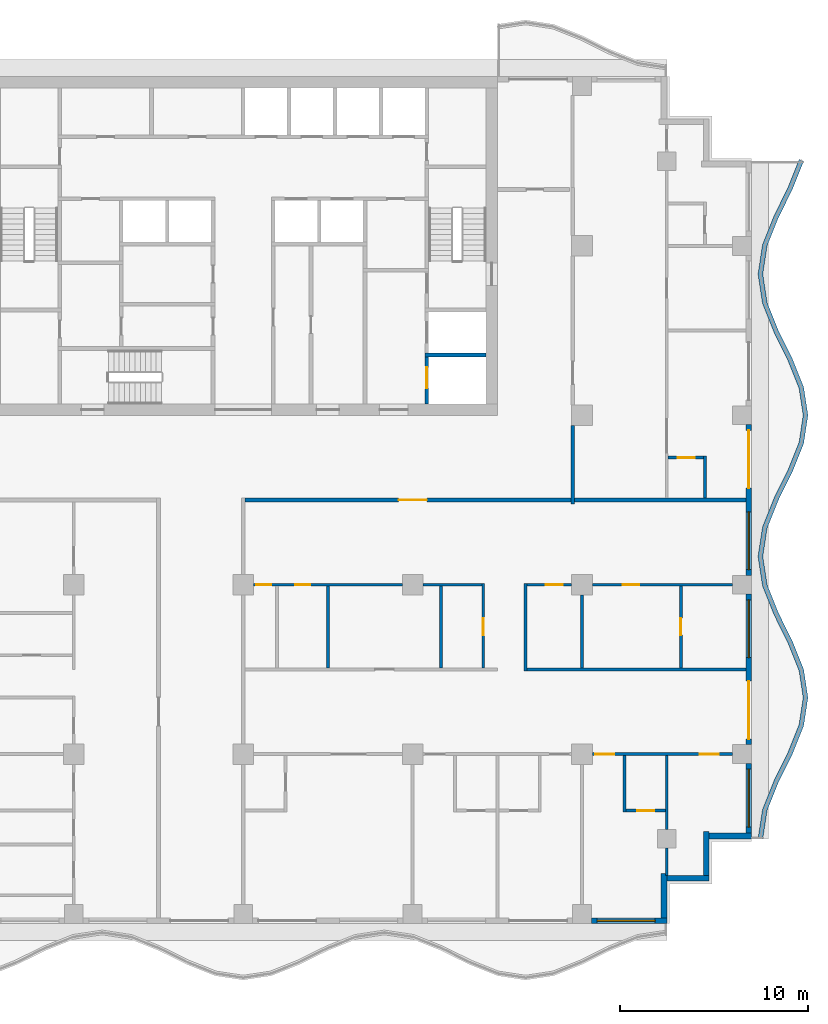
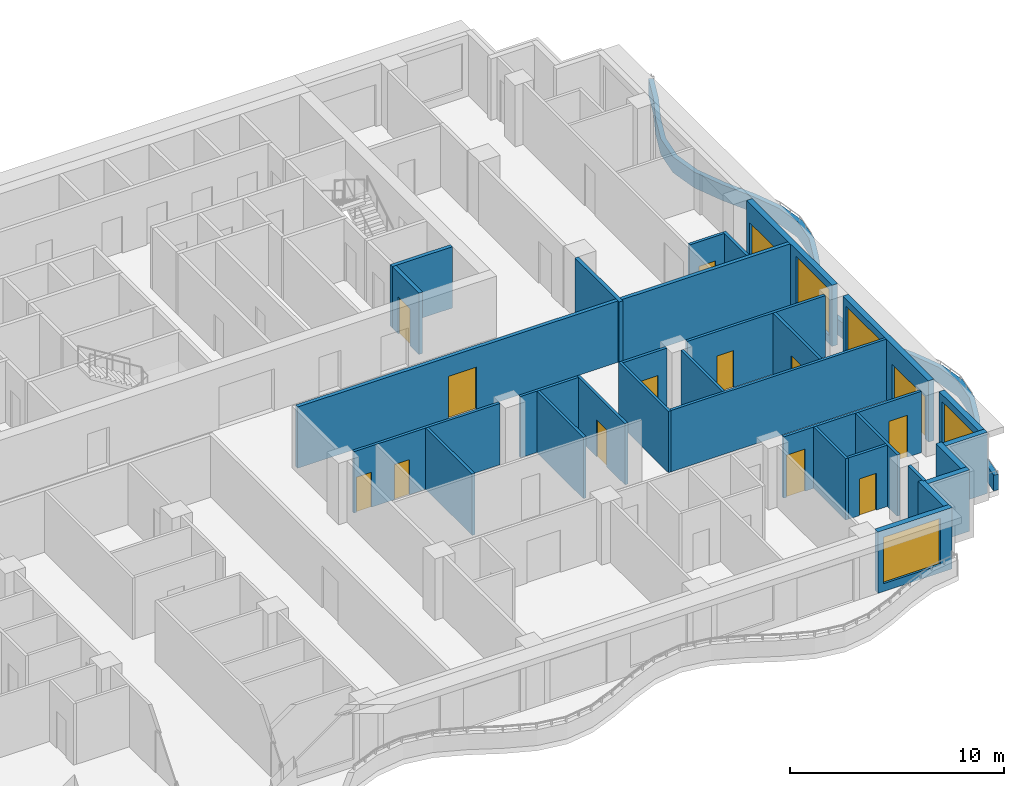
# One storey, part 4 of 12: 32 walls, 14 doors, 4 windows, 18 openings.
"""IFC4 building model written with IfcOpenShell, lengths in metres."""

import ifcopenshell
import ifcopenshell.guid

model = None  # the IFC model being written
_history = None  # IfcOwnerHistory: only IFC2X3 demands one
_inside = {}  # id of a spatial element -> (the spatial element, [elements in it])
_under = {}  # id of a project, library or spatial element -> (it, [spatial elements below it])
_declared = {}  # id of a project -> (the project, [libraries it declares])
_typed = {}  # id of a type object -> (the type object, [elements of that type])
_made_of = {}  # id of a material, layer set ... -> (it, [elements and type objects made of it])


def new_model(schema):
    """Start an empty IFC model of exactly this schema.

    Asked for "IFC4X3", IfcOpenShell would pick the latest addendum, in which some entities
    have other attributes; the version numbers below select the first issue.
    IFC2X3 requires an IfcOwnerHistory on every rooted entity: one is made here for all.
    """
    global model, _history
    if schema == "IFC4X3":
        model = ifcopenshell.file(schema_version=(4, 3, 0, 0))
    else:
        model = ifcopenshell.file(schema=schema)
    _inside.clear()
    _under.clear()
    _declared.clear()
    _typed.clear()
    _made_of.clear()
    _history = None
    if model.schema == "IFC2X3":
        org = make("IfcOrganization", Name="unknown")
        user = make(
            "IfcPersonAndOrganization",
            ThePerson=make("IfcPerson", FamilyName="unknown"),
            TheOrganization=org,
        )
        app = make(
            "IfcApplication",
            ApplicationDeveloper=org,
            Version="unknown",
            ApplicationFullName="unknown",
            ApplicationIdentifier="unknown",
        )
        _history = make(
            "IfcOwnerHistory",
            OwningUser=user,
            OwningApplication=app,
            ChangeAction="ADDED",
            CreationDate=0,
        )
    return model


def make(cls, **values):
    """One entity of the class cls with the attributes given. An attribute that is None is left unset."""
    return model.create_entity(
        cls, **{name: value for name, value in values.items() if value is not None}
    )


def rooted(cls, **values):
    """An entity with a GlobalId (a new one), such as an element, a storey or a relation."""
    return make(cls, GlobalId=ifcopenshell.guid.new(), OwnerHistory=_history, **values)


def si_unit(unit_type, name, prefix=None):
    """IfcSIUnit, for example si_unit("LENGTHUNIT", "METRE", prefix="MILLI")."""
    return make("IfcSIUnit", UnitType=unit_type, Prefix=prefix, Name=name)


def assignment(units):
    """IfcUnitAssignment: the units of a project."""
    return None if units is None else make("IfcUnitAssignment", Units=units)


def point(xyz):
    """IfcCartesianPoint."""
    return None if xyz is None else make("IfcCartesianPoint", Coordinates=xyz)


def direction(xyz):
    """IfcDirection."""
    return None if xyz is None else make("IfcDirection", DirectionRatios=xyz)


def frame(location, z_axis=None, x_axis=None):
    """IfcAxis2Placement3D, a coordinate frame: its origin and axes. An axis left out is left unset."""
    return make(
        "IfcAxis2Placement3D",
        Location=point(location),
        Axis=direction(z_axis),
        RefDirection=direction(x_axis),
    )


def frame_2d(location, x_axis=None):
    """IfcAxis2Placement2D, a coordinate frame in the plane: its origin and x axis."""
    return make(
        "IfcAxis2Placement2D", Location=point(location), RefDirection=direction(x_axis)
    )


def origin():
    """The frame at (0, 0, 0) with its axes left unset."""
    return frame((0.0, 0.0, 0.0))


def place(relative_to, where):
    """IfcLocalPlacement: puts the frame where relative to a parent placement (None: the world)."""
    return make(
        "IfcLocalPlacement", PlacementRelTo=relative_to, RelativePlacement=where
    )


def context(
    kind, dimensions, precision=None, world=None, true_north=None, identifier=None
):
    """IfcGeometricRepresentationContext, for example the 3D "Model" context."""
    return make(
        "IfcGeometricRepresentationContext",
        ContextIdentifier=identifier,
        ContextType=kind,
        CoordinateSpaceDimension=dimensions,
        Precision=precision,
        WorldCoordinateSystem=world,
        TrueNorth=true_north,
    )


def subcontext(parent, identifier, kind, view, scale=None):
    """IfcGeometricRepresentationSubContext, for example "Body" below "Model"."""
    return make(
        "IfcGeometricRepresentationSubContext",
        ContextIdentifier=identifier,
        ContextType=kind,
        ParentContext=parent,
        TargetScale=scale,
        TargetView=view,
    )


def project(units=None, contexts=None):
    """IfcProject with its units and contexts."""
    return rooted(
        "IfcProject",
        Name="project",
        RepresentationContexts=contexts,
        UnitsInContext=assignment(units),
    )


def spatial(cls, under=None, at=None, **own):
    """A site, building, storey or space (cls), placed at a placement, below another one or the project."""
    s = rooted(cls, ObjectPlacement=at, **own)
    if under is not None:
        _under.setdefault(under.id(), (under, []))[1].append(s)
    return s


def polyline(points):
    """IfcPolyline through the points."""
    return make("IfcPolyline", Points=[point(p) for p in points])


def profile(cls, at=None, kind="AREA", **sizes):
    """A parametric profile (cls). Its sizes go by their IFC names, for example OverallWidth=200.0."""
    return make(cls, ProfileType=kind, Position=at, **sizes)


def rectangle(**sizes):
    """IfcRectangleProfileDef."""
    return profile("IfcRectangleProfileDef", **sizes)


def outline(outer, holes=None, kind="AREA"):
    """IfcArbitraryClosedProfileDef: a profile drawn as a closed curve; with holes, ...WithVoids."""
    if holes is None:
        return make("IfcArbitraryClosedProfileDef", ProfileType=kind, OuterCurve=outer)
    return make(
        "IfcArbitraryProfileDefWithVoids",
        ProfileType=kind,
        OuterCurve=outer,
        InnerCurves=holes,
    )


def extrude(swept, where, along, depth):
    """IfcExtrudedAreaSolid: the profile swept, set in the frame where, extruded along a direction by depth."""
    return make(
        "IfcExtrudedAreaSolid",
        SweptArea=swept,
        Position=where,
        ExtrudedDirection=direction(along),
        Depth=depth,
    )


def shape(context_of_items, identifier, shape_type, items):
    """IfcShapeRepresentation: the items that make up one representation, for example the "Body"."""
    return make(
        "IfcShapeRepresentation",
        ContextOfItems=context_of_items,
        RepresentationIdentifier=identifier,
        RepresentationType=shape_type,
        Items=items,
    )


def material(Name=None, Category=None):
    """IfcMaterial."""
    return make("IfcMaterial", Name=Name, Category=Category)


def layer(
    of_material, thickness, ventilated=None, Name=None, Category=None, Priority=None
):
    """IfcMaterialLayer: one layer of a wall or slab, of a material (None: an air gap)."""
    return make(
        "IfcMaterialLayer",
        Material=of_material,
        LayerThickness=thickness,
        IsVentilated=ventilated,
        Name=Name,
        Category=Category,
        Priority=Priority,
    )


def layer_set(layers, Name=None):
    """IfcMaterialLayerSet."""
    return make("IfcMaterialLayerSet", MaterialLayers=layers, LayerSetName=Name)


def made_of(thing, what):
    """Note that an element or type object is made of a material, layer set ...; save() writes the relation."""
    if what is not None:
        _made_of.setdefault(what.id(), (what, []))[1].append(thing)
    return thing


def type_object(cls, material=None, **own):
    """A type object (cls), such as IfcWallType, which elements share."""
    return made_of(rooted(cls, **own), material)


def element(
    cls,
    number,
    at=None,
    inside=None,
    cuts=None,
    type_object=None,
    material=None,
    context=None,
    identifier="Body",
    shape_type=None,
    held_by="IfcProductDefinitionShape",
    body=None,
    shapes=None,
    **own,
):
    """One element of the class cls, such as IfcWall. Its Tag is "e" and its number.

    at: its placement. inside: the storey or other place that contains it. cuts: it is an
    opening in that element (IfcRelVoidsElement). A single representation is given by context,
    identifier, shape_type and body (its items); several are given by shapes. held_by: the class
    of the entity that holds the representations. save() writes the other relations.
    """
    e = rooted(cls, Tag="e%d" % number, ObjectPlacement=at, **own)
    if body is not None:
        shapes = [shape(context, identifier, shape_type, body)]
    if shapes is not None:
        e.Representation = make(held_by, Representations=shapes)
    if inside is not None:
        _inside.setdefault(inside.id(), (inside, []))[1].append(e)
    if cuts is not None:
        rooted(
            "IfcRelVoidsElement", RelatingBuildingElement=cuts, RelatedOpeningElement=e
        )
    if type_object is not None:
        _typed.setdefault(type_object.id(), (type_object, []))[1].append(e)
    return made_of(e, material)


def fill(opening, filler):
    """IfcRelFillsElement: the door or window that sits in an opening."""
    return rooted(
        "IfcRelFillsElement",
        RelatingOpeningElement=opening,
        RelatedBuildingElement=filler,
    )


def aggregate(whole, parts):
    """IfcRelAggregates: a whole, such as a stair, and the parts it consists of."""
    return rooted("IfcRelAggregates", RelatingObject=whole, RelatedObjects=parts)


def save(model, path):
    """Write the relations noted so far, then the file.

    IfcRelAggregates (storeys below a building ...), IfcRelContainedInSpatialStructure (elements
    in a storey), IfcRelDefinesByType, IfcRelAssociatesMaterial and IfcRelDeclares: one each for
    every whole, place, type object, material and project.
    """
    for whole, parts in _under.values():
        aggregate(whole, parts)
    for where, things in _inside.values():
        rooted(
            "IfcRelContainedInSpatialStructure",
            RelatedElements=things,
            RelatingStructure=where,
        )
    for kind, things in _typed.values():
        rooted("IfcRelDefinesByType", RelatedObjects=things, RelatingType=kind)
    for what, things in _made_of.values():
        rooted("IfcRelAssociatesMaterial", RelatedObjects=things, RelatingMaterial=what)
    for by, libraries in _declared.values():
        rooted("IfcRelDeclares", RelatingContext=by, RelatedDefinitions=libraries)
    model.write(path)


model = new_model("IFC4")

# Units and contexts
model_context = context("Model", 3, precision=1e-05, world=origin(), true_north=direction((0.0, 1.0)))
body_context = subcontext(model_context, "Body", "Model", "MODEL_VIEW")
ifc_project = project(units=[si_unit("LENGTHUNIT", "METRE"), si_unit("AREAUNIT", "SQUARE_METRE"), si_unit("VOLUMEUNIT", "CUBIC_METRE"), si_unit("PLANEANGLEUNIT", "RADIAN"), si_unit("MASSUNIT", "GRAM", prefix="KILO")], contexts=[model_context])

# Site, building, storey
site_placement = place(None, origin())
site = spatial("IfcSite", under=ifc_project, at=site_placement, CompositionType="ELEMENT")
building_placement = place(site_placement, origin())
building = spatial("IfcBuilding", under=site, at=building_placement, Name="Orbiselva Terraces", CompositionType="ELEMENT")
storey_placement = place(building_placement, frame((0.0, 0.0, 203.4)))
storey = spatial("IfcBuildingStorey", under=building, at=storey_placement, Name="L51", CompositionType="ELEMENT", Elevation=203.4)

# Wall, opening, door
ifc_material_1 = material(Name="Concrete C60/75", Category="concrete")
ifc_layer_1 = layer(ifc_material_1, 0.2)
ifc_layer_set_1 = layer_set([ifc_layer_1], Name="Concrete C60/75")
wall_type_1 = type_object("IfcWallType", Name="CORE-WALL-SHEAR-200", PredefinedType="SHEAR", material=ifc_layer_set_1)
wall_1_placement = place(storey_placement, frame((9.75, 5.1, 0.0), z_axis=(0.0, 0.0, 1.0), x_axis=(0.0, 1.0, 0.0)))
wall_1 = element("IfcWall", 1, at=wall_1_placement, inside=storey, type_object=wall_type_1, Name="L51 core wall 40", PredefinedType="SHEAR", context=body_context, shape_type="SweptSolid", body=[
    extrude(rectangle(XDim=2.5, YDim=0.2, at=frame_2d((1.25, 0.0))), origin(), (0.0, 0.0, 1.0), 3.5),
])
opening_1_placement = place(wall_1_placement, frame((0.85, 0.0, 0.0)))
opening_1 = element("IfcOpeningElement", 2, at=opening_1_placement, cuts=wall_1, Name="Opening LD-FF1", PredefinedType="OPENING", context=body_context, shape_type="SweptSolid", body=[
    extrude(rectangle(XDim=1.1, YDim=2.1, at=frame_2d((0.55, 1.05))), frame((0.0, 0.11, 0.0), z_axis=(0.0, -1.0, 0.0), x_axis=(1.0, 0.0, 0.0)), (0.0, 0.0, 1.0), 0.22),
])
ifc_material_2 = material(Name="Stainless steel landing door", Category="steel")
door_type_1 = type_object("IfcDoorType", Name="LANDING DOOR 1100", OperationType="SLIDING_TO_LEFT", PredefinedType="DOOR", material=ifc_material_2)
door_1_placement = place(opening_1_placement, origin())
door_1 = element("IfcDoor", 3, at=door_1_placement, inside=storey, type_object=door_type_1, Name="L51 landing door FF1", OperationType="SLIDING_TO_RIGHT", OverallHeight=2.1, OverallWidth=1.1, PredefinedType="DOOR", context=body_context, shape_type="SweptSolid", body=[
    extrude(rectangle(XDim=1.1, YDim=2.1, at=frame_2d((0.55, 1.05))), frame((0.0, 0.025, 0.0), z_axis=(0.0, -1.0, 0.0), x_axis=(1.0, 0.0, 0.0)), (0.0, 0.0, 1.0), 0.05),
])
fill(opening_1, door_1)

# Walls
wall_2_placement = place(storey_placement, frame((9.65, 7.7, 0.0), z_axis=(0.0, 0.0, 1.0), x_axis=(1.0, 0.0, 0.0)))
element("IfcWall", 4, at=wall_2_placement, inside=storey, type_object=wall_type_1, Name="L51 core wall 41", PredefinedType="SHEAR", context=body_context, shape_type="SweptSolid", body=[
    extrude(rectangle(XDim=3.25, YDim=0.2, at=frame_2d((1.625, 0.0))), origin(), (0.0, 0.0, 1.0), 3.5),
])
ifc_material_3 = material(Name="Concrete C40/50", Category="concrete")
ifc_layer_2 = layer(ifc_material_3, 0.25)
ifc_layer_set_2 = layer_set([ifc_layer_2], Name="Concrete C40/50")
wall_type_2 = type_object("IfcWallType", Name="ENV-PLANTER-250x900", PredefinedType="USERDEFINED", material=ifc_layer_set_2)
wall_3_placement = place(storey_placement, origin())
element("IfcWall", 5, at=wall_3_placement, inside=storey, type_object=wall_type_2, Name="Balcony planter L51 E", ObjectType="PLANTER", PredefinedType="USERDEFINED", context=body_context, shape_type="SweptSolid", body=[
    extrude(outline(polyline([(27.6, -18.0), (27.82918, -16.5), (28.42918, -15.0), (29.17082, -13.5), (29.77082, -12.0), (30.0, -10.5), (29.77082, -9.0), (29.17082, -7.5), (28.42918, -6.0), (27.82918, -4.5), (27.6, -3.0), (27.82918, -1.5), (28.42918, 0.0), (29.17082, 1.5), (29.77082, 3.0), (30.0, 4.5), (29.77082, 6.0), (29.17082, 7.5), (28.42918, 9.0), (27.82918, 10.5), (27.6, 12.0), (27.82918, 13.5), (28.42918, 15.0), (29.17082, 16.5), (29.77082, 18.0), (29.538701, 18.092848), (28.942355, 16.601983), (28.200715, 15.101983), (27.586388, 13.566166), (27.347099, 12.0), (27.586388, 10.433834), (28.200715, 8.898017), (28.942355, 7.398017), (29.528028, 5.933834), (29.747099, 4.5), (29.528028, 3.066166), (28.942355, 1.601983), (28.200715, 0.101983), (27.586388, -1.433834), (27.347099, -3.0), (27.586388, -4.566166), (28.200715, -6.101983), (28.942355, -7.601983), (29.528028, -9.066166), (29.747099, -10.5), (29.528028, -11.933834), (28.942355, -13.398017), (28.200715, -14.898017), (27.586388, -16.433834), (27.352868, -17.962242), (27.6, -18.0)])), origin(), (0.0, 0.0, 1.0), 0.9),
])

# Wall, opening, window
ifc_material_4 = material(Name="Terracotta cladding on masonry backing", Category="masonry")
ifc_layer_3 = layer(ifc_material_4, 0.3)
ifc_layer_set_3 = layer_set([ifc_layer_3], Name="Terracotta cladding on masonry backing")
wall_type_3 = type_object("IfcWallType", Name="ENV-WALL-TERRACOTTA-300", PredefinedType="SOLIDWALL", material=ifc_layer_set_3)
wall_4_placement = place(storey_placement, frame((22.5, -22.35, 0.0), z_axis=(0.0, 0.0, 1.0), x_axis=(-1.0, 0.0, 0.0)))
wall_4 = element("IfcWall", 6, at=wall_4_placement, inside=storey, type_object=wall_type_3, Name="Facade wall L51 S", PredefinedType="SOLIDWALL", context=body_context, shape_type="SweptSolid", body=[
    extrude(rectangle(XDim=4.0, YDim=0.3, at=frame_2d((2.0, 0.0))), origin(), (0.0, 0.0, 1.0), 3.5),
])
opening_2_placement = place(wall_4_placement, frame((0.625, 0.0, 0.45)))
opening_2 = element("IfcOpeningElement", 7, at=opening_2_placement, cuts=wall_4, Name="Opening WN15", PredefinedType="OPENING", context=body_context, shape_type="SweptSolid", body=[
    extrude(rectangle(XDim=3.075, YDim=2.65, at=frame_2d((1.5375, 1.325))), frame((0.0, 0.16, 0.0), z_axis=(0.0, -1.0, 0.0), x_axis=(1.0, 0.0, 0.0)), (0.0, 0.0, 1.0), 0.32),
])
ifc_material_5 = material(Name="Clear low-e glazing in aluminium frame", Category="aluminium")
window_type = type_object("IfcWindowType", Name="WINDOW 3075 X 2650 S450", PartitioningType="TRIPLE_PANEL_VERTICAL", PredefinedType="WINDOW", material=ifc_material_5)
window_1_placement = place(opening_2_placement, origin())
window_1 = element("IfcWindow", 8, at=window_1_placement, inside=storey, type_object=window_type, Name="Window L51 S", OverallHeight=2.65, OverallWidth=3.075, PartitioningType="SINGLE_PANEL", PredefinedType="WINDOW", context=body_context, shape_type="SweptSolid", body=[
    extrude(rectangle(XDim=3.075, YDim=2.65, at=frame_2d((1.5375, 1.325))), frame((0.0, 0.03, 0.0), z_axis=(0.0, -1.0, 0.0), x_axis=(1.0, 0.0, 0.0)), (0.0, 0.0, 1.0), 0.06),
])
fill(opening_2, window_1)

# Walls
wall_5_placement = place(storey_placement, frame((22.35, -19.85, 0.0), z_axis=(0.0, 0.0, 1.0), x_axis=(0.0, -1.0, 0.0)))
element("IfcWall", 9, at=wall_5_placement, inside=storey, type_object=wall_type_3, Name="Facade wall L51 STEP", PredefinedType="SOLIDWALL", context=body_context, shape_type="SweptSolid", body=[
    extrude(rectangle(XDim=2.35, YDim=0.3, at=frame_2d((1.175, 0.0))), origin(), (0.0, 0.0, 1.0), 3.5),
])
wall_6_placement = place(storey_placement, frame((24.75, -20.1, 0.0), z_axis=(0.0, 0.0, 1.0), x_axis=(-1.0, 0.0, 0.0)))
element("IfcWall", 10, at=wall_6_placement, inside=storey, type_object=wall_type_3, Name="Facade wall L51 STEP", PredefinedType="SOLIDWALL", context=body_context, shape_type="SweptSolid", body=[
    extrude(rectangle(XDim=2.25, YDim=0.3, at=frame_2d((1.125, 0.0))), origin(), (0.0, 0.0, 1.0), 3.5),
])
wall_7_placement = place(storey_placement, frame((24.6, -17.6, 0.0), z_axis=(0.0, 0.0, 1.0), x_axis=(0.0, -1.0, 0.0)))
element("IfcWall", 11, at=wall_7_placement, inside=storey, type_object=wall_type_3, Name="Facade wall L51 STEP", PredefinedType="SOLIDWALL", context=body_context, shape_type="SweptSolid", body=[
    extrude(rectangle(XDim=2.35, YDim=0.3, at=frame_2d((1.175, 0.0))), origin(), (0.0, 0.0, 1.0), 3.5),
])
wall_8_placement = place(storey_placement, frame((27.0, -17.85, 0.0), z_axis=(0.0, 0.0, 1.0), x_axis=(-1.0, 0.0, 0.0)))
element("IfcWall", 12, at=wall_8_placement, inside=storey, type_object=wall_type_3, Name="Facade wall L51 STEP", PredefinedType="SOLIDWALL", context=body_context, shape_type="SweptSolid", body=[
    extrude(rectangle(XDim=2.25, YDim=0.3, at=frame_2d((1.125, 0.0))), origin(), (0.0, 0.0, 1.0), 3.5),
])

# Wall, opening, window
wall_9_placement = place(storey_placement, frame((26.85, -14.0, 0.0), z_axis=(0.0, 0.0, 1.0), x_axis=(0.0, -1.0, 0.0)))
wall_9 = element("IfcWall", 13, at=wall_9_placement, inside=storey, type_object=wall_type_3, Name="Facade wall L51 E", PredefinedType="SOLIDWALL", context=body_context, shape_type="SweptSolid", body=[
    extrude(rectangle(XDim=3.7, YDim=0.3, at=frame_2d((1.85, 0.0))), origin(), (0.0, 0.0, 1.0), 3.5),
])
opening_3_placement = place(wall_9_placement, frame((0.3, 0.0, 0.45)))
opening_3 = element("IfcOpeningElement", 14, at=opening_3_placement, cuts=wall_9, Name="Opening WN15", PredefinedType="OPENING", context=body_context, shape_type="SweptSolid", body=[
    extrude(rectangle(XDim=3.075, YDim=2.65, at=frame_2d((1.5375, 1.325))), frame((0.0, 0.16, 0.0), z_axis=(0.0, -1.0, 0.0), x_axis=(1.0, 0.0, 0.0)), (0.0, 0.0, 1.0), 0.32),
])
window_2_placement = place(opening_3_placement, origin())
window_2 = element("IfcWindow", 15, at=window_2_placement, inside=storey, type_object=window_type, Name="Window L51 E", OverallHeight=2.65, OverallWidth=3.075, PartitioningType="SINGLE_PANEL", PredefinedType="WINDOW", context=body_context, shape_type="SweptSolid", body=[
    extrude(rectangle(XDim=3.075, YDim=2.65, at=frame_2d((1.5375, 1.325))), frame((0.0, 0.03, 0.0), z_axis=(0.0, -1.0, 0.0), x_axis=(1.0, 0.0, 0.0)), (0.0, 0.0, 1.0), 0.06),
])
fill(opening_3, window_2)

# Wall, openings, door, window
wall_10_placement = place(storey_placement, frame((26.85, -5.0, 0.0), z_axis=(0.0, 0.0, 1.0), x_axis=(0.0, -1.0, 0.0)))
wall_10 = element("IfcWall", 16, at=wall_10_placement, inside=storey, type_object=wall_type_3, Name="Facade wall L51 E", PredefinedType="SOLIDWALL", context=body_context, shape_type="SweptSolid", body=[
    extrude(rectangle(XDim=8.0, YDim=0.3, at=frame_2d((4.0, 0.0))), origin(), (0.0, 0.0, 1.0), 3.5),
])
opening_4_placement = place(wall_10_placement, frame((4.625, 0.0, 0.0)))
opening_4 = element("IfcOpeningElement", 17, at=opening_4_placement, cuts=wall_10, Name="Opening Z4-B-E14", PredefinedType="OPENING", context=body_context, shape_type="SweptSolid", body=[
    extrude(rectangle(XDim=3.075, YDim=2.4, at=frame_2d((1.5375, 1.2))), frame((0.0, 0.16, 0.0), z_axis=(0.0, -1.0, 0.0), x_axis=(1.0, 0.0, 0.0)), (0.0, 0.0, 1.0), 0.32),
])
opening_5_placement = place(wall_10_placement, frame((0.3, 0.0, 0.45)))
opening_5 = element("IfcOpeningElement", 18, at=opening_5_placement, cuts=wall_10, Name="Opening WN15", PredefinedType="OPENING", context=body_context, shape_type="SweptSolid", body=[
    extrude(rectangle(XDim=3.075, YDim=2.65, at=frame_2d((1.5375, 1.325))), frame((0.0, 0.16, 0.0), z_axis=(0.0, -1.0, 0.0), x_axis=(1.0, 0.0, 0.0)), (0.0, 0.0, 1.0), 0.32),
])
door_type_2 = type_object("IfcDoorType", Name="BALCONY DOOR 3075 X 2400", OperationType="DOUBLE_DOOR_SLIDING", PredefinedType="DOOR", material=ifc_material_5)
door_2_placement = place(opening_4_placement, origin())
door_2 = element("IfcDoor", 19, at=door_2_placement, inside=storey, type_object=door_type_2, Name="Z4-B-E14", OperationType="SINGLE_SWING_LEFT", OverallHeight=2.4, OverallWidth=3.075, PredefinedType="DOOR", context=body_context, shape_type="SweptSolid", body=[
    extrude(rectangle(XDim=3.075, YDim=2.4, at=frame_2d((1.5375, 1.2))), frame((0.0, 0.025, 0.0), z_axis=(0.0, -1.0, 0.0), x_axis=(1.0, 0.0, 0.0)), (0.0, 0.0, 1.0), 0.05),
])
fill(opening_4, door_2)
window_3_placement = place(opening_5_placement, origin())
window_3 = element("IfcWindow", 20, at=window_3_placement, inside=storey, type_object=window_type, Name="Window L51 E", OverallHeight=2.65, OverallWidth=3.075, PartitioningType="SINGLE_PANEL", PredefinedType="WINDOW", context=body_context, shape_type="SweptSolid", body=[
    extrude(rectangle(XDim=3.075, YDim=2.65, at=frame_2d((1.5375, 1.325))), frame((0.0, 0.03, 0.0), z_axis=(0.0, -1.0, 0.0), x_axis=(1.0, 0.0, 0.0)), (0.0, 0.0, 1.0), 0.06),
])
fill(opening_5, window_3)

wall_11_placement = place(storey_placement, frame((26.85, 4.0, 0.0), z_axis=(0.0, 0.0, 1.0), x_axis=(0.0, -1.0, 0.0)))
wall_11 = element("IfcWall", 21, at=wall_11_placement, inside=storey, type_object=wall_type_3, Name="Facade wall L51 E", PredefinedType="SOLIDWALL", context=body_context, shape_type="SweptSolid", body=[
    extrude(rectangle(XDim=8.0, YDim=0.3, at=frame_2d((4.0, 0.0))), origin(), (0.0, 0.0, 1.0), 3.5),
])
opening_6_placement = place(wall_11_placement, frame((4.625, 0.0, 0.45)))
opening_6 = element("IfcOpeningElement", 22, at=opening_6_placement, cuts=wall_11, Name="Opening WN15", PredefinedType="OPENING", context=body_context, shape_type="SweptSolid", body=[
    extrude(rectangle(XDim=3.075, YDim=2.65, at=frame_2d((1.5375, 1.325))), frame((0.0, 0.16, 0.0), z_axis=(0.0, -1.0, 0.0), x_axis=(1.0, 0.0, 0.0)), (0.0, 0.0, 1.0), 0.32),
])
opening_7_placement = place(wall_11_placement, frame((0.3, 0.0, 0.0)))
opening_7 = element("IfcOpeningElement", 23, at=opening_7_placement, cuts=wall_11, Name="Opening Z4-B-E23", PredefinedType="OPENING", context=body_context, shape_type="SweptSolid", body=[
    extrude(rectangle(XDim=3.075, YDim=2.4, at=frame_2d((1.5375, 1.2))), frame((0.0, 0.16, 0.0), z_axis=(0.0, -1.0, 0.0), x_axis=(1.0, 0.0, 0.0)), (0.0, 0.0, 1.0), 0.32),
])
door_3_placement = place(opening_7_placement, origin())
door_3 = element("IfcDoor", 24, at=door_3_placement, inside=storey, type_object=door_type_2, Name="Z4-B-E23", OperationType="SINGLE_SWING_LEFT", OverallHeight=2.4, OverallWidth=3.075, PredefinedType="DOOR", context=body_context, shape_type="SweptSolid", body=[
    extrude(rectangle(XDim=3.075, YDim=2.4, at=frame_2d((1.5375, 1.2))), frame((0.0, 0.025, 0.0), z_axis=(0.0, -1.0, 0.0), x_axis=(1.0, 0.0, 0.0)), (0.0, 0.0, 1.0), 0.05),
])
fill(opening_7, door_3)
window_4_placement = place(opening_6_placement, origin())
window_4 = element("IfcWindow", 25, at=window_4_placement, inside=storey, type_object=window_type, Name="Window L51 E", OverallHeight=2.65, OverallWidth=3.075, PartitioningType="SINGLE_PANEL", PredefinedType="WINDOW", context=body_context, shape_type="SweptSolid", body=[
    extrude(rectangle(XDim=3.075, YDim=2.65, at=frame_2d((1.5375, 1.325))), frame((0.0, 0.03, 0.0), z_axis=(0.0, -1.0, 0.0), x_axis=(1.0, 0.0, 0.0)), (0.0, 0.0, 1.0), 0.06),
])
fill(opening_6, window_4)

# Wall, opening, door
ifc_material_6 = material(Name="Plasterboard on steel stud partition", Category="steel")
ifc_layer_4 = layer(ifc_material_6, 0.2)
ifc_layer_set_4 = layer_set([ifc_layer_4], Name="Plasterboard on steel stud partition")
wall_type_4 = type_object("IfcWallType", Name="UNIT-ENTRANCE-WALL-200", PredefinedType="PARTITIONING", material=ifc_layer_set_4)
wall_12_placement = place(storey_placement, frame((17.4, 0.0, 0.0), z_axis=(0.0, 0.0, 1.0), x_axis=(-1.0, 0.0, 0.0)))
wall_12 = element("IfcWall", 26, at=wall_12_placement, inside=storey, type_object=wall_type_4, Name="PARTITION L51-030", PredefinedType="PARTITIONING", context=body_context, shape_type="SweptSolid", body=[
    extrude(rectangle(XDim=17.3, YDim=0.2, at=frame_2d((8.65, 0.0))), origin(), (0.0, 0.0, 1.0), 3.5),
])
opening_8_placement = place(wall_12_placement, frame((7.65, 0.0, 0.0)))
opening_8 = element("IfcOpeningElement", 27, at=opening_8_placement, cuts=wall_12, Name="Opening Z4-B-30", PredefinedType="OPENING", context=body_context, shape_type="SweptSolid", body=[
    extrude(rectangle(XDim=1.5, YDim=2.4, at=frame_2d((0.75, 1.2))), frame((0.0, 0.11, 0.0), z_axis=(0.0, -1.0, 0.0), x_axis=(1.0, 0.0, 0.0)), (0.0, 0.0, 1.0), 0.22),
])
ifc_material_7 = material(Name="Painted timber door leaf", Category="wood")
door_type_3 = type_object("IfcDoorType", Name="ENTRANCE DOUBLE DOOR 1500", OperationType="NOTDEFINED", PredefinedType="DOOR", material=ifc_material_7)
door_4_placement = place(opening_8_placement, origin())
door_4 = element("IfcDoor", 28, at=door_4_placement, inside=storey, type_object=door_type_3, Name="Z4-B-30", OperationType="DOUBLE_DOOR_SINGLE_SWING", OverallHeight=2.4, OverallWidth=1.5, PredefinedType="DOOR", context=body_context, shape_type="SweptSolid", body=[
    extrude(rectangle(XDim=1.5, YDim=2.4, at=frame_2d((0.75, 1.2))), frame((0.0, 0.025, 0.0), z_axis=(0.0, -1.0, 0.0), x_axis=(1.0, 0.0, 0.0)), (0.0, 0.0, 1.0), 0.05),
])
fill(opening_8, door_4)

# Wall
wall_13_placement = place(storey_placement, frame((17.5, -0.2, 0.0), z_axis=(0.0, 0.0, 1.0), x_axis=(0.0, 1.0, 0.0)))
element("IfcWall", 29, at=wall_13_placement, inside=storey, type_object=wall_type_4, Name="PARTITION L51-075", PredefinedType="PARTITIONING", context=body_context, shape_type="SweptSolid", body=[
    extrude(rectangle(XDim=4.15, YDim=0.2, at=frame_2d((2.075, 0.0))), origin(), (0.0, 0.0, 1.0), 3.5),
])

# Wall, opening, door
ifc_layer_5 = layer(ifc_material_6, 0.15)
ifc_layer_set_5 = layer_set([ifc_layer_5], Name="Plasterboard on steel stud partition")
wall_type_5 = type_object("IfcWallType", Name="UNIT-PARTITION-150", PredefinedType="PARTITIONING", material=ifc_layer_set_5)
wall_14_placement = place(storey_placement, frame((20.325, -16.5, 0.0), z_axis=(0.0, 0.0, 1.0), x_axis=(1.0, 0.0, 0.0)))
wall_14 = element("IfcWall", 30, at=wall_14_placement, inside=storey, type_object=wall_type_5, Name="PARTITION L51-007", PredefinedType="PARTITIONING", context=body_context, shape_type="SweptSolid", body=[
    extrude(rectangle(XDim=2.1, YDim=0.15, at=frame_2d((1.05, 0.0))), origin(), (0.0, 0.0, 1.0), 3.5),
])
opening_9_placement = place(wall_14_placement, frame((0.6, 0.0, 0.0)))
opening_9 = element("IfcOpeningElement", 31, at=opening_9_placement, cuts=wall_14, Name="Opening Z4-B-45", PredefinedType="OPENING", context=body_context, shape_type="SweptSolid", body=[
    extrude(rectangle(XDim=0.9, YDim=2.1, at=frame_2d((0.45, 1.05))), frame((0.0, 0.085, 0.0), z_axis=(0.0, -1.0, 0.0), x_axis=(1.0, 0.0, 0.0)), (0.0, 0.0, 1.0), 0.17),
])
door_type_4 = type_object("IfcDoorType", Name="BATH DOOR 900", OperationType="NOTDEFINED", PredefinedType="DOOR", material=ifc_material_7)
door_5_placement = place(opening_9_placement, origin())
door_5 = element("IfcDoor", 32, at=door_5_placement, inside=storey, type_object=door_type_4, Name="Z4-B-45", OperationType="SINGLE_SWING_LEFT", OverallHeight=2.1, OverallWidth=0.9, PredefinedType="DOOR", context=body_context, shape_type="SweptSolid", body=[
    extrude(rectangle(XDim=0.9, YDim=2.1, at=frame_2d((0.45, 1.05))), frame((0.0, 0.025, 0.0), z_axis=(0.0, -1.0, 0.0), x_axis=(1.0, 0.0, 0.0)), (0.0, 0.0, 1.0), 0.05),
])
fill(opening_9, door_5)

# Wall, openings, doors
wall_15_placement = place(storey_placement, frame((26.0, -13.5, 0.0), z_axis=(0.0, 0.0, 1.0), x_axis=(-1.0, 0.0, 0.0)))
wall_15 = element("IfcWall", 33, at=wall_15_placement, inside=storey, type_object=wall_type_5, Name="PARTITION L51-013", PredefinedType="PARTITIONING", context=body_context, shape_type="SweptSolid", body=[
    extrude(rectangle(XDim=7.45, YDim=0.15, at=frame_2d((3.725, 0.0))), origin(), (0.0, 0.0, 1.0), 3.5),
])
opening_10_placement = place(wall_15_placement, frame((6.3, 0.0, 0.0)))
opening_10 = element("IfcOpeningElement", 34, at=opening_10_placement, cuts=wall_15, Name="Opening Z4-B-44", PredefinedType="OPENING", context=body_context, shape_type="SweptSolid", body=[
    extrude(rectangle(XDim=1.0, YDim=2.4, at=frame_2d((0.5, 1.2))), frame((0.0, 0.085, 0.0), z_axis=(0.0, -1.0, 0.0), x_axis=(1.0, 0.0, 0.0)), (0.0, 0.0, 1.0), 0.17),
])
opening_11_placement = place(wall_15_placement, frame((0.75, 0.0, 0.0)))
opening_11 = element("IfcOpeningElement", 35, at=opening_11_placement, cuts=wall_15, Name="Opening Z4-B-46", PredefinedType="OPENING", context=body_context, shape_type="SweptSolid", body=[
    extrude(rectangle(XDim=1.0, YDim=2.4, at=frame_2d((0.5, 1.2))), frame((0.0, 0.085, 0.0), z_axis=(0.0, -1.0, 0.0), x_axis=(1.0, 0.0, 0.0)), (0.0, 0.0, 1.0), 0.17),
])
door_type_5 = type_object("IfcDoorType", Name="ROOM DOOR 1000", OperationType="NOTDEFINED", PredefinedType="DOOR", material=ifc_material_7)
door_6_placement = place(opening_10_placement, origin())
door_6 = element("IfcDoor", 36, at=door_6_placement, inside=storey, type_object=door_type_5, Name="Z4-B-44", OperationType="SINGLE_SWING_RIGHT", OverallHeight=2.4, OverallWidth=1.0, PredefinedType="DOOR", context=body_context, shape_type="SweptSolid", body=[
    extrude(rectangle(XDim=1.0, YDim=2.4, at=frame_2d((0.5, 1.2))), frame((0.0, 0.025, 0.0), z_axis=(0.0, -1.0, 0.0), x_axis=(1.0, 0.0, 0.0)), (0.0, 0.0, 1.0), 0.05),
])
fill(opening_10, door_6)
door_7_placement = place(opening_11_placement, origin())
door_7 = element("IfcDoor", 37, at=door_7_placement, inside=storey, type_object=door_type_5, Name="Z4-B-46", OperationType="SINGLE_SWING_LEFT", OverallHeight=2.4, OverallWidth=1.0, PredefinedType="DOOR", context=body_context, shape_type="SweptSolid", body=[
    extrude(rectangle(XDim=1.0, YDim=2.4, at=frame_2d((0.5, 1.2))), frame((0.0, 0.025, 0.0), z_axis=(0.0, -1.0, 0.0), x_axis=(1.0, 0.0, 0.0)), (0.0, 0.0, 1.0), 0.05),
])
fill(opening_11, door_7)

# Wall
wall_16_placement = place(storey_placement, frame((15.075, -9.0, 0.0), z_axis=(0.0, 0.0, 1.0), x_axis=(1.0, 0.0, 0.0)))
element("IfcWall", 38, at=wall_16_placement, inside=storey, type_object=wall_type_5, Name="PARTITION L51-019", PredefinedType="PARTITIONING", context=body_context, shape_type="SweptSolid", body=[
    extrude(rectangle(XDim=11.625, YDim=0.15, at=frame_2d((5.8125, 0.0))), origin(), (0.0, 0.0, 1.0), 3.5),
])

# Wall, openings, doors
wall_17_placement = place(storey_placement, frame((8.45, -4.5, 0.0), z_axis=(0.0, 0.0, 1.0), x_axis=(-1.0, 0.0, 0.0)))
wall_17 = element("IfcWall", 39, at=wall_17_placement, inside=storey, type_object=wall_type_5, Name="PARTITION L51-024", PredefinedType="PARTITIONING", context=body_context, shape_type="SweptSolid", body=[
    extrude(rectangle(XDim=7.9, YDim=0.15, at=frame_2d((3.95, 0.0))), origin(), (0.0, 0.0, 1.0), 3.5),
])
opening_12_placement = place(wall_17_placement, frame((6.95, 0.0, 0.0)))
opening_12 = element("IfcOpeningElement", 40, at=opening_12_placement, cuts=wall_17, Name="Opening Z4-B-31", PredefinedType="OPENING", context=body_context, shape_type="SweptSolid", body=[
    extrude(rectangle(XDim=0.8, YDim=2.0, at=frame_2d((0.4, 1.0))), frame((0.0, 0.085, 0.0), z_axis=(0.0, -1.0, 0.0), x_axis=(1.0, 0.0, 0.0)), (0.0, 0.0, 1.0), 0.17),
])
opening_13_placement = place(wall_17_placement, frame((4.9, 0.0, 0.0)))
opening_13 = element("IfcOpeningElement", 41, at=opening_13_placement, cuts=wall_17, Name="Opening Z4-B-32", PredefinedType="OPENING", context=body_context, shape_type="SweptSolid", body=[
    extrude(rectangle(XDim=0.8, YDim=2.0, at=frame_2d((0.4, 1.0))), frame((0.0, 0.085, 0.0), z_axis=(0.0, -1.0, 0.0), x_axis=(1.0, 0.0, 0.0)), (0.0, 0.0, 1.0), 0.17),
])
door_type_6 = type_object("IfcDoorType", Name="STORE DOOR 800", OperationType="NOTDEFINED", PredefinedType="DOOR", material=ifc_material_7)
door_8_placement = place(opening_12_placement, origin())
door_8 = element("IfcDoor", 42, at=door_8_placement, inside=storey, type_object=door_type_6, Name="Z4-B-31", OperationType="SINGLE_SWING_RIGHT", OverallHeight=2.0, OverallWidth=0.8, PredefinedType="DOOR", context=body_context, shape_type="SweptSolid", body=[
    extrude(rectangle(XDim=0.8, YDim=2.0, at=frame_2d((0.4, 1.0))), frame((0.0, 0.025, 0.0), z_axis=(0.0, -1.0, 0.0), x_axis=(1.0, 0.0, 0.0)), (0.0, 0.0, 1.0), 0.05),
])
fill(opening_12, door_8)
door_9_placement = place(opening_13_placement, origin())
door_9 = element("IfcDoor", 43, at=door_9_placement, inside=storey, type_object=door_type_6, Name="Z4-B-32", OperationType="SINGLE_SWING_RIGHT", OverallHeight=2.0, OverallWidth=0.8, PredefinedType="DOOR", context=body_context, shape_type="SweptSolid", body=[
    extrude(rectangle(XDim=0.8, YDim=2.0, at=frame_2d((0.4, 1.0))), frame((0.0, 0.025, 0.0), z_axis=(0.0, -1.0, 0.0), x_axis=(1.0, 0.0, 0.0)), (0.0, 0.0, 1.0), 0.05),
])
fill(opening_13, door_9)

# Wall
wall_18_placement = place(storey_placement, frame((9.55, -4.5, 0.0), z_axis=(0.0, 0.0, 1.0), x_axis=(1.0, 0.0, 0.0)))
element("IfcWall", 44, at=wall_18_placement, inside=storey, type_object=wall_type_5, Name="PARTITION L51-025", PredefinedType="PARTITIONING", context=body_context, shape_type="SweptSolid", body=[
    extrude(rectangle(XDim=3.125, YDim=0.15, at=frame_2d((1.5625, 0.0))), origin(), (0.0, 0.0, 1.0), 3.5),
])

# Wall, opening, door
wall_19_placement = place(storey_placement, frame((17.45, -4.5, 0.0), z_axis=(0.0, 0.0, 1.0), x_axis=(-1.0, 0.0, 0.0)))
wall_19 = element("IfcWall", 45, at=wall_19_placement, inside=storey, type_object=wall_type_5, Name="PARTITION L51-026", PredefinedType="PARTITIONING", context=body_context, shape_type="SweptSolid", body=[
    extrude(rectangle(XDim=2.375, YDim=0.15, at=frame_2d((1.1875, 0.0))), origin(), (0.0, 0.0, 1.0), 3.5),
])
opening_14_placement = place(wall_19_placement, frame((0.475, 0.0, 0.0)))
opening_14 = element("IfcOpeningElement", 46, at=opening_14_placement, cuts=wall_19, Name="Opening Z4-B-35", PredefinedType="OPENING", context=body_context, shape_type="SweptSolid", body=[
    extrude(rectangle(XDim=0.9, YDim=2.1, at=frame_2d((0.45, 1.05))), frame((0.0, 0.085, 0.0), z_axis=(0.0, -1.0, 0.0), x_axis=(1.0, 0.0, 0.0)), (0.0, 0.0, 1.0), 0.17),
])
door_type_7 = type_object("IfcDoorType", Name="SERVICE DOOR 900", OperationType="NOTDEFINED", PredefinedType="DOOR", material=ifc_material_7)
door_10_placement = place(opening_14_placement, origin())
door_10 = element("IfcDoor", 47, at=door_10_placement, inside=storey, type_object=door_type_7, Name="Z4-B-35", OperationType="SINGLE_SWING_LEFT", OverallHeight=2.1, OverallWidth=0.9, PredefinedType="DOOR", context=body_context, shape_type="SweptSolid", body=[
    extrude(rectangle(XDim=0.9, YDim=2.1, at=frame_2d((0.45, 1.05))), frame((0.0, 0.025, 0.0), z_axis=(0.0, -1.0, 0.0), x_axis=(1.0, 0.0, 0.0)), (0.0, 0.0, 1.0), 0.05),
])
fill(opening_14, door_10)

wall_20_placement = place(storey_placement, frame((26.0, -4.5, 0.0), z_axis=(0.0, 0.0, 1.0), x_axis=(-1.0, 0.0, 0.0)))
wall_20 = element("IfcWall", 48, at=wall_20_placement, inside=storey, type_object=wall_type_5, Name="PARTITION L51-027", PredefinedType="PARTITIONING", context=body_context, shape_type="SweptSolid", body=[
    extrude(rectangle(XDim=7.45, YDim=0.15, at=frame_2d((3.725, 0.0))), origin(), (0.0, 0.0, 1.0), 3.5),
])
opening_15_placement = place(wall_20_placement, frame((4.95, 0.0, 0.0)))
opening_15 = element("IfcOpeningElement", 49, at=opening_15_placement, cuts=wall_20, Name="Opening Z4-B-36", PredefinedType="OPENING", context=body_context, shape_type="SweptSolid", body=[
    extrude(rectangle(XDim=0.9, YDim=2.1, at=frame_2d((0.45, 1.05))), frame((0.0, 0.085, 0.0), z_axis=(0.0, -1.0, 0.0), x_axis=(1.0, 0.0, 0.0)), (0.0, 0.0, 1.0), 0.17),
])
door_11_placement = place(opening_15_placement, origin())
door_11 = element("IfcDoor", 50, at=door_11_placement, inside=storey, type_object=door_type_7, Name="Z4-B-36", OperationType="SINGLE_SWING_RIGHT", OverallHeight=2.1, OverallWidth=0.9, PredefinedType="DOOR", context=body_context, shape_type="SweptSolid", body=[
    extrude(rectangle(XDim=0.9, YDim=2.1, at=frame_2d((0.45, 1.05))), frame((0.0, 0.025, 0.0), z_axis=(0.0, -1.0, 0.0), x_axis=(1.0, 0.0, 0.0)), (0.0, 0.0, 1.0), 0.05),
])
fill(opening_15, door_11)

wall_21_placement = place(storey_placement, frame((24.45, 2.25, 0.0), z_axis=(0.0, 0.0, 1.0), x_axis=(-1.0, 0.0, 0.0)))
wall_21 = element("IfcWall", 51, at=wall_21_placement, inside=storey, type_object=wall_type_5, Name="PARTITION L51-033", PredefinedType="PARTITIONING", context=body_context, shape_type="SweptSolid", body=[
    extrude(rectangle(XDim=1.875, YDim=0.15, at=frame_2d((0.9375, 0.0))), origin(), (0.0, 0.0, 1.0), 3.5),
])
opening_16_placement = place(wall_21_placement, frame((0.475, 0.0, 0.0)))
opening_16 = element("IfcOpeningElement", 52, at=opening_16_placement, cuts=wall_21, Name="Opening Z4-B-10", PredefinedType="OPENING", context=body_context, shape_type="SweptSolid", body=[
    extrude(rectangle(XDim=0.9, YDim=2.1, at=frame_2d((0.45, 1.05))), frame((0.0, 0.085, 0.0), z_axis=(0.0, -1.0, 0.0), x_axis=(1.0, 0.0, 0.0)), (0.0, 0.0, 1.0), 0.17),
])
door_12_placement = place(opening_16_placement, origin())
door_12 = element("IfcDoor", 53, at=door_12_placement, inside=storey, type_object=door_type_4, Name="Z4-B-10", OperationType="SINGLE_SWING_LEFT", OverallHeight=2.1, OverallWidth=0.9, PredefinedType="DOOR", context=body_context, shape_type="SweptSolid", body=[
    extrude(rectangle(XDim=0.9, YDim=2.1, at=frame_2d((0.45, 1.05))), frame((0.0, 0.025, 0.0), z_axis=(0.0, -1.0, 0.0), x_axis=(1.0, 0.0, 0.0)), (0.0, 0.0, 1.0), 0.05),
])
fill(opening_16, door_12)

# Walls
for number, where, z_axis, x_axis, name in (
    (54, (4.5, -8.925, 0.0), (0.0, 0.0, 1.0), (0.0, 1.0, 0.0), "PARTITION L51-067"),
    (55, (10.5, -8.925, 0.0), (0.0, 0.0, 1.0), (0.0, 1.0, 0.0), "PARTITION L51-069"),
):
    element("IfcWall", number, at=place(storey_placement, frame(where, z_axis=z_axis, x_axis=x_axis)), inside=storey, type_object=wall_type_5, Name=name, PredefinedType="PARTITIONING", context=body_context, shape_type="SweptSolid", body=[
        extrude(rectangle(XDim=4.35, YDim=0.15, at=frame_2d((2.175, 0.0))), origin(), (0.0, 0.0, 1.0), 3.5),
    ])

# Wall, opening, door
wall_22_placement = place(storey_placement, frame((12.75, -8.925, 0.0), z_axis=(0.0, 0.0, 1.0), x_axis=(0.0, 1.0, 0.0)))
wall_22 = element("IfcWall", 56, at=wall_22_placement, inside=storey, type_object=wall_type_5, Name="PARTITION L51-071", PredefinedType="PARTITIONING", context=body_context, shape_type="SweptSolid", body=[
    extrude(rectangle(XDim=4.5, YDim=0.15, at=frame_2d((2.25, 0.0))), origin(), (0.0, 0.0, 1.0), 3.5),
])
opening_17_placement = place(wall_22_placement, frame((1.75, 0.0, 0.0)))
opening_17 = element("IfcOpeningElement", 57, at=opening_17_placement, cuts=wall_22, Name="Opening Z4-B-34", PredefinedType="OPENING", context=body_context, shape_type="SweptSolid", body=[
    extrude(rectangle(XDim=0.9, YDim=2.1, at=frame_2d((0.45, 1.05))), frame((0.0, 0.085, 0.0), z_axis=(0.0, -1.0, 0.0), x_axis=(1.0, 0.0, 0.0)), (0.0, 0.0, 1.0), 0.17),
])
door_13_placement = place(opening_17_placement, origin())
door_13 = element("IfcDoor", 58, at=door_13_placement, inside=storey, type_object=door_type_4, Name="Z4-B-34", OperationType="SINGLE_SWING_LEFT", OverallHeight=2.1, OverallWidth=0.9, PredefinedType="DOOR", context=body_context, shape_type="SweptSolid", body=[
    extrude(rectangle(XDim=0.9, YDim=2.1, at=frame_2d((0.45, 1.05))), frame((0.0, 0.025, 0.0), z_axis=(0.0, -1.0, 0.0), x_axis=(1.0, 0.0, 0.0)), (0.0, 0.0, 1.0), 0.05),
])
fill(opening_17, door_13)

# Walls
wall_23_placement = place(storey_placement, frame((15.0, -9.075, 0.0), z_axis=(0.0, 0.0, 1.0), x_axis=(0.0, 1.0, 0.0)))
element("IfcWall", 59, at=wall_23_placement, inside=storey, type_object=wall_type_5, Name="PARTITION L51-073", PredefinedType="PARTITIONING", context=body_context, shape_type="SweptSolid", body=[
    extrude(rectangle(XDim=4.65, YDim=0.15, at=frame_2d((2.325, 0.0))), origin(), (0.0, 0.0, 1.0), 3.5),
])
wall_24_placement = place(storey_placement, frame((18.0, -8.925, 0.0), z_axis=(0.0, 0.0, 1.0), x_axis=(0.0, 1.0, 0.0)))
element("IfcWall", 60, at=wall_24_placement, inside=storey, type_object=wall_type_5, Name="PARTITION L51-080", PredefinedType="PARTITIONING", context=body_context, shape_type="SweptSolid", body=[
    extrude(rectangle(XDim=3.875, YDim=0.15, at=frame_2d((1.9375, 0.0))), origin(), (0.0, 0.0, 1.0), 3.5),
])
wall_25_placement = place(storey_placement, frame((20.25, -16.575, 0.0), z_axis=(0.0, 0.0, 1.0), x_axis=(0.0, 1.0, 0.0)))
element("IfcWall", 61, at=wall_25_placement, inside=storey, type_object=wall_type_5, Name="PARTITION L51-081", PredefinedType="PARTITIONING", context=body_context, shape_type="SweptSolid", body=[
    extrude(rectangle(XDim=3.0, YDim=0.15, at=frame_2d((1.5, 0.0))), origin(), (0.0, 0.0, 1.0), 3.5),
])
wall_26_placement = place(storey_placement, frame((22.5, -19.95, 0.0), z_axis=(0.0, 0.0, 1.0), x_axis=(0.0, 1.0, 0.0)))
element("IfcWall", 62, at=wall_26_placement, inside=storey, type_object=wall_type_5, Name="PARTITION L51-082", PredefinedType="PARTITIONING", context=body_context, shape_type="SweptSolid", body=[
    extrude(rectangle(XDim=1.45, YDim=0.15, at=frame_2d((0.725, 0.0))), origin(), (0.0, 0.0, 1.0), 3.5),
])
wall_27_placement = place(storey_placement, frame((22.5, -17.5, 0.0), z_axis=(0.0, 0.0, 1.0), x_axis=(0.0, 1.0, 0.0)))
element("IfcWall", 63, at=wall_27_placement, inside=storey, type_object=wall_type_5, Name="PARTITION L51-083", PredefinedType="PARTITIONING", context=body_context, shape_type="SweptSolid", body=[
    extrude(rectangle(XDim=3.925, YDim=0.15, at=frame_2d((1.9625, 0.0))), origin(), (0.0, 0.0, 1.0), 3.5),
])

# Wall, opening, door
wall_28_placement = place(storey_placement, frame((23.25, -4.575, 0.0), z_axis=(0.0, 0.0, 1.0), x_axis=(0.0, -1.0, 0.0)))
wall_28 = element("IfcWall", 64, at=wall_28_placement, inside=storey, type_object=wall_type_5, Name="PARTITION L51-086", PredefinedType="PARTITIONING", context=body_context, shape_type="SweptSolid", body=[
    extrude(rectangle(XDim=4.35, YDim=0.15, at=frame_2d((2.175, 0.0))), origin(), (0.0, 0.0, 1.0), 3.5),
])
opening_18_placement = place(wall_28_placement, frame((1.7, 0.0, 0.0)))
opening_18 = element("IfcOpeningElement", 65, at=opening_18_placement, cuts=wall_28, Name="Opening Z4-B-37", PredefinedType="OPENING", context=body_context, shape_type="SweptSolid", body=[
    extrude(rectangle(XDim=0.9, YDim=2.1, at=frame_2d((0.45, 1.05))), frame((0.0, 0.085, 0.0), z_axis=(0.0, -1.0, 0.0), x_axis=(1.0, 0.0, 0.0)), (0.0, 0.0, 1.0), 0.17),
])
door_14_placement = place(opening_18_placement, origin())
door_14 = element("IfcDoor", 66, at=door_14_placement, inside=storey, type_object=door_type_4, Name="Z4-B-37", OperationType="SINGLE_SWING_LEFT", OverallHeight=2.1, OverallWidth=0.9, PredefinedType="DOOR", context=body_context, shape_type="SweptSolid", body=[
    extrude(rectangle(XDim=0.9, YDim=2.1, at=frame_2d((0.45, 1.05))), frame((0.0, 0.025, 0.0), z_axis=(0.0, -1.0, 0.0), x_axis=(1.0, 0.0, 0.0)), (0.0, 0.0, 1.0), 0.05),
])
fill(opening_18, door_14)

# Walls
wall_29_placement = place(storey_placement, frame((24.525, 0.1, 0.0), z_axis=(0.0, 0.0, 1.0), x_axis=(0.0, 1.0, 0.0)))
element("IfcWall", 67, at=wall_29_placement, inside=storey, type_object=wall_type_5, Name="PARTITION L51-087", PredefinedType="PARTITIONING", context=body_context, shape_type="SweptSolid", body=[
    extrude(rectangle(XDim=2.225, YDim=0.15, at=frame_2d((1.1125, 0.0))), origin(), (0.0, 0.0, 1.0), 3.5),
])
ifc_layer_6 = layer(ifc_material_6, 0.2)
ifc_layer_set_6 = layer_set([ifc_layer_6], Name="Plasterboard on steel stud partition")
wall_type_6 = type_object("IfcWallType", Name="UNIT-PARTY-WALL-200", PredefinedType="PARTITIONING", material=ifc_layer_set_6)
wall_30_placement = place(storey_placement, frame((17.6, 0.0, 0.0), z_axis=(0.0, 0.0, 1.0), x_axis=(1.0, 0.0, 0.0)))
element("IfcWall", 68, at=wall_30_placement, inside=storey, type_object=wall_type_6, Name="PARTITION L51-032", PredefinedType="PARTITIONING", context=body_context, shape_type="SweptSolid", body=[
    extrude(rectangle(XDim=9.1, YDim=0.2, at=frame_2d((4.55, 0.0))), origin(), (0.0, 0.0, 1.0), 3.5),
])

save(model, "model.ifc")
